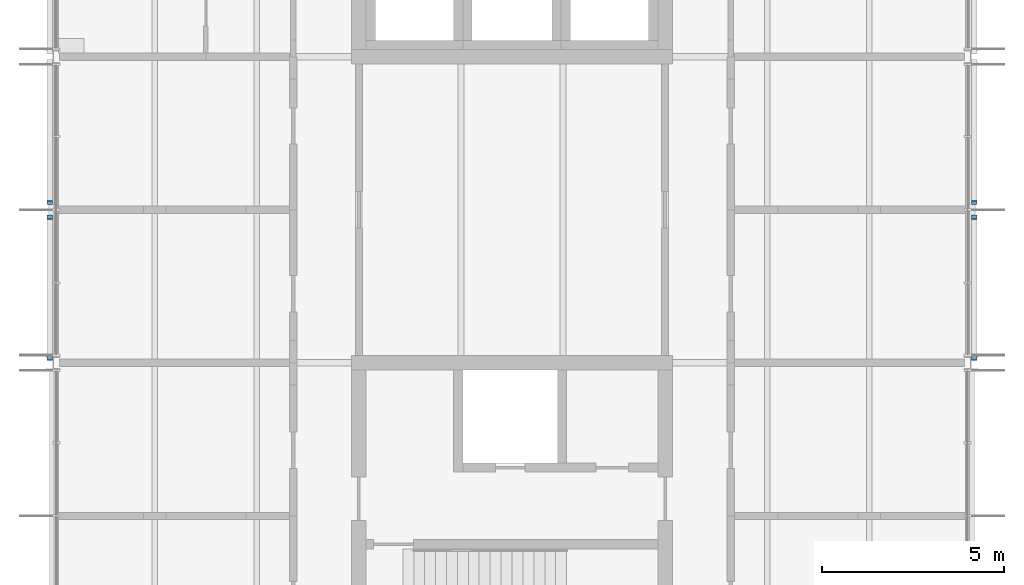
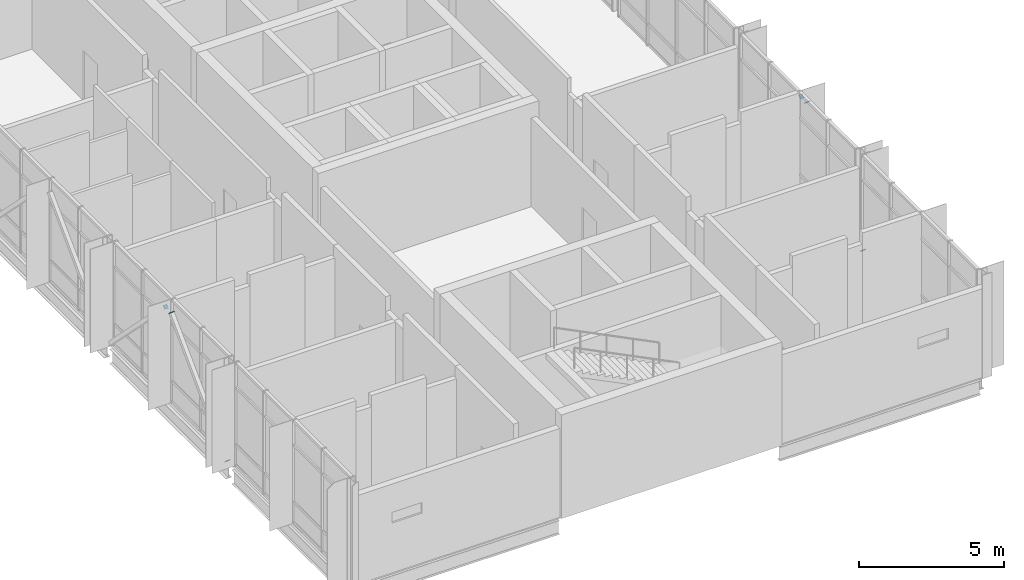
# One storey, part 11 of 15: 6 discrete accessories.
"""IFC4 building model written with IfcOpenShell, lengths in metres."""

from ifc_helpers import new_model, si_unit, direction, frame, origin, origin_2d, place, context, subcontext, project, spatial, rectangle, extrude, material, element, save


model = new_model("IFC4")

# Units and contexts
model_context = context("Model", 3, precision=1e-05, world=origin(), true_north=direction((0.0, 1.0)))
body_context = subcontext(model_context, "Body", "Model", "MODEL_VIEW")
ifc_project = project(units=[si_unit("LENGTHUNIT", "METRE"), si_unit("AREAUNIT", "SQUARE_METRE"), si_unit("VOLUMEUNIT", "CUBIC_METRE"), si_unit("PLANEANGLEUNIT", "RADIAN"), si_unit("MASSUNIT", "GRAM", prefix="KILO")], contexts=[model_context])

# Site, building, storey
site_placement = place(None, origin())
site = spatial("IfcSite", under=ifc_project, at=site_placement, CompositionType="ELEMENT")
building_placement = place(site_placement, origin())
building = spatial("IfcBuilding", under=site, at=building_placement, Name="Hlaing Beacon Police Headquarters", CompositionType="ELEMENT")
storey_placement = place(building_placement, frame((0.0, 0.0, 32.39990234375)))
storey = spatial("IfcBuildingStorey", under=building, at=storey_placement, Name="L07", CompositionType="ELEMENT", Elevation=32.39990234375)

# Discrete accessories
ifc_material = material(Name="Steel ASTM A572 Grade 50", Category="steel")
for number, where, z_axis, x_axis, name in (
    (1, (100.7197265625, 42.135498046875, 0.059814453125), (0.0, -0.704391022459, -0.70981214943), (1.0, 0.0, 0.0), "Gusset plate GP-073"),
    (2, (100.7197265625, 45.994384765625, 3.948486328125), (0.0, 0.704391022459, 0.70981214943), (-1.0, 0.0, 0.0), "Gusset plate GP-074"),
    (3, (100.7197265625, 46.405517578125, 3.948486328125), (0.0, -0.704391022459, 0.70981214943), (1.0, 0.0, 0.0), "Gusset plate GP-076"),
    (4, (126.080078125, 42.135498046875, 0.059814453125), (0.0, -0.704391022459, -0.70981214943), (1.0, 0.0, 0.0), "Gusset plate GP-129"),
    (5, (126.080078125, 45.994384765625, 3.948486328125), (0.0, 0.704391022459, 0.70981214943), (-1.0, 0.0, 0.0), "Gusset plate GP-130"),
    (6, (126.080078125, 46.405517578125, 3.948486328125), (0.0, -0.704391022459, 0.70981214943), (1.0, 0.0, 0.0), "Gusset plate GP-132"),
):
    element("IfcDiscreteAccessory", number, at=place(storey_placement, frame(where, z_axis=z_axis, x_axis=x_axis)), inside=storey, material=ifc_material, Name=name, PredefinedType="BRACKET", context=body_context, shape_type="SweptSolid", body=[
        extrude(rectangle(XDim=0.15234375, YDim=0.15234375, at=origin_2d()), origin(), (0.0, 0.0, 1.0), 0.01611328125),
    ])

save(model, "model.ifc")
